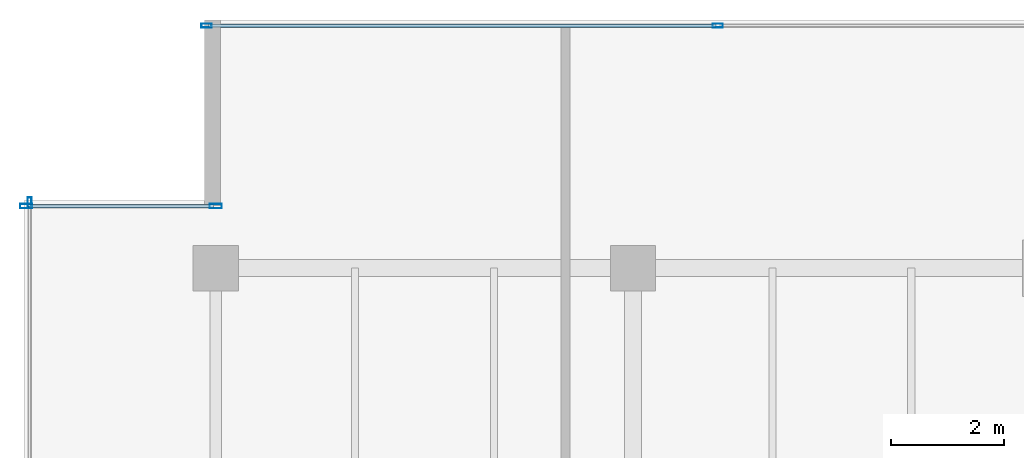
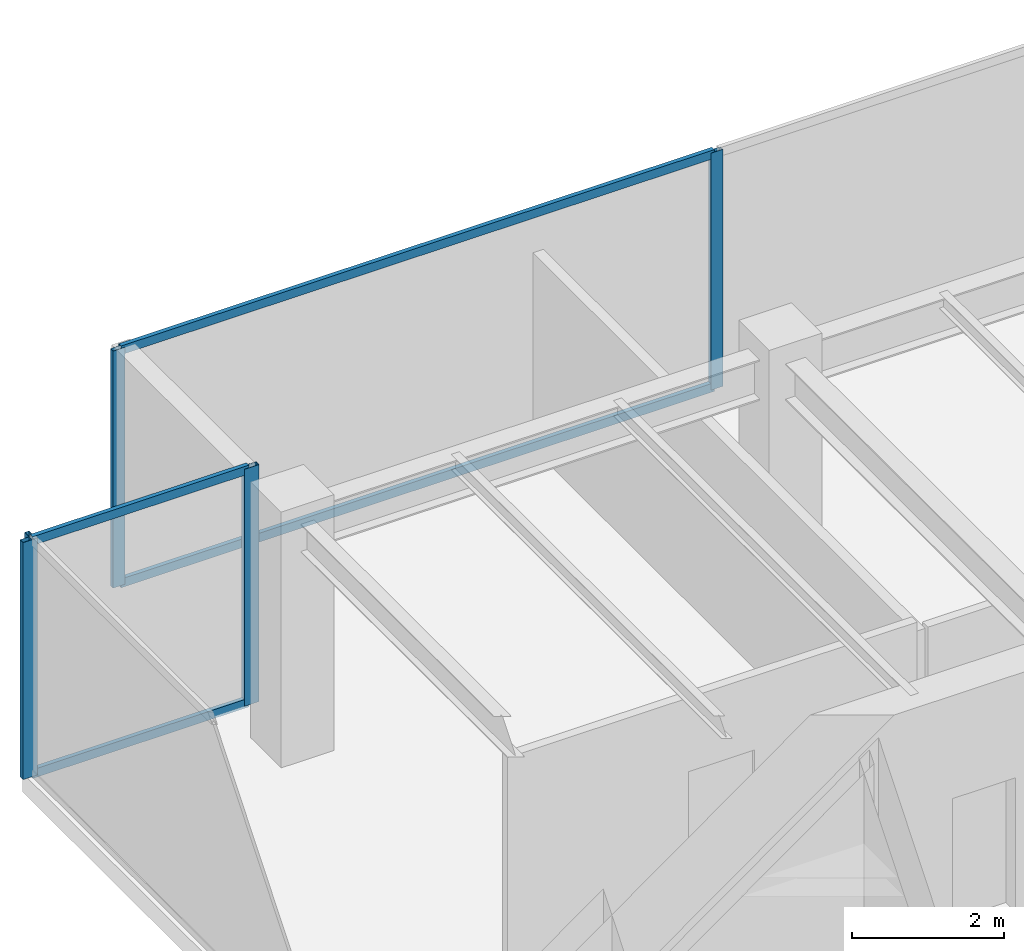
# One storey, part 15 of 33: 9 members, 3 elements without a shape of their own.
"""IFC4 building model written with IfcOpenShell, lengths in metres."""

import ifcopenshell
import ifcopenshell.guid

model = None  # the IFC model being written
_history = None  # IfcOwnerHistory: only IFC2X3 demands one
_inside = {}  # id of a spatial element -> (the spatial element, [elements in it])
_under = {}  # id of a project, library or spatial element -> (it, [spatial elements below it])
_declared = {}  # id of a project -> (the project, [libraries it declares])
_typed = {}  # id of a type object -> (the type object, [elements of that type])
_made_of = {}  # id of a material, layer set ... -> (it, [elements and type objects made of it])


def new_model(schema):
    """Start an empty IFC model of exactly this schema.

    Asked for "IFC4X3", IfcOpenShell would pick the latest addendum, in which some entities
    have other attributes; the version numbers below select the first issue.
    IFC2X3 requires an IfcOwnerHistory on every rooted entity: one is made here for all.
    """
    global model, _history
    if schema == "IFC4X3":
        model = ifcopenshell.file(schema_version=(4, 3, 0, 0))
    else:
        model = ifcopenshell.file(schema=schema)
    _inside.clear()
    _under.clear()
    _declared.clear()
    _typed.clear()
    _made_of.clear()
    _history = None
    if model.schema == "IFC2X3":
        org = make("IfcOrganization", Name="unknown")
        user = make(
            "IfcPersonAndOrganization",
            ThePerson=make("IfcPerson", FamilyName="unknown"),
            TheOrganization=org,
        )
        app = make(
            "IfcApplication",
            ApplicationDeveloper=org,
            Version="unknown",
            ApplicationFullName="unknown",
            ApplicationIdentifier="unknown",
        )
        _history = make(
            "IfcOwnerHistory",
            OwningUser=user,
            OwningApplication=app,
            ChangeAction="ADDED",
            CreationDate=0,
        )
    return model


def make(cls, **values):
    """One entity of the class cls with the attributes given. An attribute that is None is left unset."""
    return model.create_entity(
        cls, **{name: value for name, value in values.items() if value is not None}
    )


def rooted(cls, **values):
    """An entity with a GlobalId (a new one), such as an element, a storey or a relation."""
    return make(cls, GlobalId=ifcopenshell.guid.new(), OwnerHistory=_history, **values)


def si_unit(unit_type, name, prefix=None):
    """IfcSIUnit, for example si_unit("LENGTHUNIT", "METRE", prefix="MILLI")."""
    return make("IfcSIUnit", UnitType=unit_type, Prefix=prefix, Name=name)


def assignment(units):
    """IfcUnitAssignment: the units of a project."""
    return None if units is None else make("IfcUnitAssignment", Units=units)


def point(xyz):
    """IfcCartesianPoint."""
    return None if xyz is None else make("IfcCartesianPoint", Coordinates=xyz)


def direction(xyz):
    """IfcDirection."""
    return None if xyz is None else make("IfcDirection", DirectionRatios=xyz)


def frame(location, z_axis=None, x_axis=None):
    """IfcAxis2Placement3D, a coordinate frame: its origin and axes. An axis left out is left unset."""
    return make(
        "IfcAxis2Placement3D",
        Location=point(location),
        Axis=direction(z_axis),
        RefDirection=direction(x_axis),
    )


def frame_2d(location, x_axis=None):
    """IfcAxis2Placement2D, a coordinate frame in the plane: its origin and x axis."""
    return make(
        "IfcAxis2Placement2D", Location=point(location), RefDirection=direction(x_axis)
    )


def origin():
    """The frame at (0, 0, 0) with its axes left unset."""
    return frame((0.0, 0.0, 0.0))


def origin_2d():
    """The frame at (0, 0) in the plane with its x axis left unset."""
    return frame_2d((0.0, 0.0))


def place(relative_to, where):
    """IfcLocalPlacement: puts the frame where relative to a parent placement (None: the world)."""
    return make(
        "IfcLocalPlacement", PlacementRelTo=relative_to, RelativePlacement=where
    )


def context(
    kind, dimensions, precision=None, world=None, true_north=None, identifier=None
):
    """IfcGeometricRepresentationContext, for example the 3D "Model" context."""
    return make(
        "IfcGeometricRepresentationContext",
        ContextIdentifier=identifier,
        ContextType=kind,
        CoordinateSpaceDimension=dimensions,
        Precision=precision,
        WorldCoordinateSystem=world,
        TrueNorth=true_north,
    )


def subcontext(parent, identifier, kind, view, scale=None):
    """IfcGeometricRepresentationSubContext, for example "Body" below "Model"."""
    return make(
        "IfcGeometricRepresentationSubContext",
        ContextIdentifier=identifier,
        ContextType=kind,
        ParentContext=parent,
        TargetScale=scale,
        TargetView=view,
    )


def project(units=None, contexts=None):
    """IfcProject with its units and contexts."""
    return rooted(
        "IfcProject",
        Name="project",
        RepresentationContexts=contexts,
        UnitsInContext=assignment(units),
    )


def spatial(cls, under=None, at=None, **own):
    """A site, building, storey or space (cls), placed at a placement, below another one or the project."""
    s = rooted(cls, ObjectPlacement=at, **own)
    if under is not None:
        _under.setdefault(under.id(), (under, []))[1].append(s)
    return s


def profile(cls, at=None, kind="AREA", **sizes):
    """A parametric profile (cls). Its sizes go by their IFC names, for example OverallWidth=200.0."""
    return make(cls, ProfileType=kind, Position=at, **sizes)


def hollow_rectangle(**sizes):
    """IfcRectangleHollowProfileDef."""
    return profile("IfcRectangleHollowProfileDef", **sizes)


def extrude(swept, where, along, depth):
    """IfcExtrudedAreaSolid: the profile swept, set in the frame where, extruded along a direction by depth."""
    return make(
        "IfcExtrudedAreaSolid",
        SweptArea=swept,
        Position=where,
        ExtrudedDirection=direction(along),
        Depth=depth,
    )


def shape(context_of_items, identifier, shape_type, items):
    """IfcShapeRepresentation: the items that make up one representation, for example the "Body"."""
    return make(
        "IfcShapeRepresentation",
        ContextOfItems=context_of_items,
        RepresentationIdentifier=identifier,
        RepresentationType=shape_type,
        Items=items,
    )


def source(mapping_origin, context_of_items, identifier, shape_type, items):
    """IfcRepresentationMap: a shape defined once, which mapped items show again and again."""
    return make(
        "IfcRepresentationMap",
        MappingOrigin=mapping_origin,
        MappedRepresentation=shape(context_of_items, identifier, shape_type, items),
    )


def transform(
    local_origin,
    x_axis=None,
    y_axis=None,
    z_axis=None,
    scale=None,
    scale2=None,
    scale3=None,
    uniform=True,
):
    """IfcCartesianTransformationOperator3D, or its non-uniform kind. x_axis, y_axis, z_axis: its Axis1, 2, 3."""
    if uniform:
        return make(
            "IfcCartesianTransformationOperator3D",
            Axis1=direction(x_axis),
            Axis2=direction(y_axis),
            LocalOrigin=point(local_origin),
            Scale=scale,
            Axis3=direction(z_axis),
        )
    return make(
        "IfcCartesianTransformationOperator3DnonUniform",
        Axis1=direction(x_axis),
        Axis2=direction(y_axis),
        LocalOrigin=point(local_origin),
        Scale=scale,
        Axis3=direction(z_axis),
        Scale2=scale2,
        Scale3=scale3,
    )


def mapped(mapping_source, mapping_target):
    """IfcMappedItem: shows the shape of a source again, moved by a transform."""
    return make(
        "IfcMappedItem", MappingSource=mapping_source, MappingTarget=mapping_target
    )


def material(Name=None, Category=None):
    """IfcMaterial."""
    return make("IfcMaterial", Name=Name, Category=Category)


def layer(
    of_material, thickness, ventilated=None, Name=None, Category=None, Priority=None
):
    """IfcMaterialLayer: one layer of a wall or slab, of a material (None: an air gap)."""
    return make(
        "IfcMaterialLayer",
        Material=of_material,
        LayerThickness=thickness,
        IsVentilated=ventilated,
        Name=Name,
        Category=Category,
        Priority=Priority,
    )


def layer_set(layers, Name=None):
    """IfcMaterialLayerSet."""
    return make("IfcMaterialLayerSet", MaterialLayers=layers, LayerSetName=Name)


def material_profile(
    of_material, cross_section, Name=None, Category=None, Priority=None
):
    """IfcMaterialProfile: a cross section and its material."""
    return make(
        "IfcMaterialProfile",
        Name=Name,
        Material=of_material,
        Profile=cross_section,
        Priority=Priority,
        Category=Category,
    )


def profile_set(profiles, Name=None, composite=None):
    """IfcMaterialProfileSet."""
    return make(
        "IfcMaterialProfileSet",
        Name=Name,
        MaterialProfiles=profiles,
        CompositeProfile=composite,
    )


def made_of(thing, what):
    """Note that an element or type object is made of a material, layer set ...; save() writes the relation."""
    if what is not None:
        _made_of.setdefault(what.id(), (what, []))[1].append(thing)
    return thing


def type_object(cls, material=None, **own):
    """A type object (cls), such as IfcWallType, which elements share."""
    return made_of(rooted(cls, **own), material)


def type_shapes(of_type, sources):
    """Give a type object the sources (RepresentationMaps) that its elements show as mapped items."""
    of_type.RepresentationMaps = sources


def element(
    cls,
    number,
    at=None,
    inside=None,
    cuts=None,
    type_object=None,
    material=None,
    context=None,
    identifier="Body",
    shape_type=None,
    held_by="IfcProductDefinitionShape",
    body=None,
    shapes=None,
    **own,
):
    """One element of the class cls, such as IfcWall. Its Tag is "e" and its number.

    at: its placement. inside: the storey or other place that contains it. cuts: it is an
    opening in that element (IfcRelVoidsElement). A single representation is given by context,
    identifier, shape_type and body (its items); several are given by shapes. held_by: the class
    of the entity that holds the representations. save() writes the other relations.
    """
    e = rooted(cls, Tag="e%d" % number, ObjectPlacement=at, **own)
    if body is not None:
        shapes = [shape(context, identifier, shape_type, body)]
    if shapes is not None:
        e.Representation = make(held_by, Representations=shapes)
    if inside is not None:
        _inside.setdefault(inside.id(), (inside, []))[1].append(e)
    if cuts is not None:
        rooted(
            "IfcRelVoidsElement", RelatingBuildingElement=cuts, RelatedOpeningElement=e
        )
    if type_object is not None:
        _typed.setdefault(type_object.id(), (type_object, []))[1].append(e)
    return made_of(e, material)


def aggregate(whole, parts):
    """IfcRelAggregates: a whole, such as a stair, and the parts it consists of."""
    return rooted("IfcRelAggregates", RelatingObject=whole, RelatedObjects=parts)


def save(model, path):
    """Write the relations noted so far, then the file.

    IfcRelAggregates (storeys below a building ...), IfcRelContainedInSpatialStructure (elements
    in a storey), IfcRelDefinesByType, IfcRelAssociatesMaterial and IfcRelDeclares: one each for
    every whole, place, type object, material and project.
    """
    for whole, parts in _under.values():
        aggregate(whole, parts)
    for where, things in _inside.values():
        rooted(
            "IfcRelContainedInSpatialStructure",
            RelatedElements=things,
            RelatingStructure=where,
        )
    for kind, things in _typed.values():
        rooted("IfcRelDefinesByType", RelatedObjects=things, RelatingType=kind)
    for what, things in _made_of.values():
        rooted("IfcRelAssociatesMaterial", RelatedObjects=things, RelatingMaterial=what)
    for by, libraries in _declared.values():
        rooted("IfcRelDeclares", RelatingContext=by, RelatedDefinitions=libraries)
    model.write(path)


model = new_model("IFC4")

# Units and contexts
model_context = context("Model", 3, precision=1e-05, world=origin(), true_north=direction((0.0, 1.0)))
body_context = subcontext(model_context, "Body", "Model", "MODEL_VIEW")
ifc_project = project(units=[si_unit("LENGTHUNIT", "METRE"), si_unit("AREAUNIT", "SQUARE_METRE"), si_unit("VOLUMEUNIT", "CUBIC_METRE"), si_unit("PLANEANGLEUNIT", "RADIAN"), si_unit("MASSUNIT", "GRAM", prefix="KILO")], contexts=[model_context])

# Site, building, storey
site_placement = place(None, origin())
site = spatial("IfcSite", under=ifc_project, at=site_placement, CompositionType="ELEMENT")
building_placement = place(site_placement, origin())
building = spatial("IfcBuilding", under=site, at=building_placement, Name="Haelvirn Gate Laboratories", CompositionType="ELEMENT")
storey_placement = place(building_placement, frame((0.0, 0.0, 271.10009765625)))
storey = spatial("IfcBuildingStorey", under=building, at=storey_placement, Name="L65", CompositionType="ELEMENT", Elevation=271.10009765625)

# Curtain wall, members
ifc_material_1 = material(Name="Anodised bronze unitised aluminium & triple low-E glass", Category="aluminium")
ifc_layer_1 = layer(ifc_material_1, 0.181884765625, Name="CW-SYS-5")
ifc_layer_set_1 = layer_set([ifc_layer_1], Name="Anodised bronze unitised aluminium & triple low-E glass")
curtain_wall_type_1 = type_object("IfcCurtainWallType", Name="CW-SYS-5", PredefinedType="NOTDEFINED", material=ifc_layer_set_1)
curtain_wall_1_placement = place(storey_placement, origin())
curtain_wall_1 = element("IfcCurtainWall", 1, at=curtain_wall_1_placement, inside=storey, type_object=curtain_wall_type_1, Name="L65 Unitised Curtain Wall CW-L65-P0-E16-1", PredefinedType="NOTDEFINED")
ifc_material_2 = material(Name="Extruded aluminium 6063-T6 (anodised bronze)", Category="aluminium")
ifc_material_profile_1 = material_profile(ifc_material_2, hollow_rectangle(XDim=0.06494140625, YDim=0.139892578125, WallThickness=0.00390625, at=origin_2d()), Name="CWT-140x65x4")
ifc_profile_set_1 = profile_set([ifc_material_profile_1], Name="Extruded aluminium 6063-T6 (anodised bronze)")
member_type_1 = type_object("IfcMemberType", Name="CWT-T140", PredefinedType="USERDEFINED", material=ifc_profile_set_1)
shared_shape_1 = source(origin(), body_context, "Body", "SweptSolid", [
    extrude(hollow_rectangle(XDim=0.06494140625, YDim=0.139892578125, WallThickness=0.00390625, at=origin_2d()), origin(), (0.0, 0.0, 1.0), 3.280029296875),
])
member_1_placement = place(storey_placement, frame((4.080078125, 42.699951171875, 0.032470703125), z_axis=(1.0, 0.0, 0.0), x_axis=(0.0, 1.0, 0.0)))
member_1 = element("IfcMember", 2, at=member_1_placement, type_object=member_type_1, Name="CW5 transom 1.1", ObjectType="TRANSOM", PredefinedType="USERDEFINED", context=body_context, shape_type="MappedRepresentation", body=[
    mapped(shared_shape_1, transform((0.0, 0.0, 0.0), scale=1.0)),
])
member_2_placement = place(storey_placement, frame((4.080078125, 42.699951171875, 3.767333984375), z_axis=(1.0, 0.0, 0.0), x_axis=(0.0, 1.0, 0.0)))
member_2 = element("IfcMember", 3, at=member_2_placement, type_object=member_type_1, Name="CW5 transom 1.2", ObjectType="TRANSOM", PredefinedType="USERDEFINED", context=body_context, shape_type="MappedRepresentation", body=[
    mapped(shared_shape_1, transform((0.0, 0.0, 0.0), scale=1.0)),
])

ifc_layer_2 = layer(ifc_material_1, 0.176025390625, Name="CW-SYS-4")
ifc_layer_set_2 = layer_set([ifc_layer_2], Name="Anodised bronze unitised aluminium & triple low-E glass")
curtain_wall_type_2 = type_object("IfcCurtainWallType", Name="CW-SYS-4", PredefinedType="NOTDEFINED", material=ifc_layer_set_2)
curtain_wall_2_placement = place(storey_placement, origin())
curtain_wall_2 = element("IfcCurtainWall", 4, at=curtain_wall_2_placement, inside=storey, type_object=curtain_wall_type_2, Name="L65 Unitised Curtain Wall CW-L65-P0-E14-1", PredefinedType="NOTDEFINED")
shared_shape_2 = source(origin(), body_context, "Body", "SweptSolid", [
    extrude(hollow_rectangle(XDim=0.06494140625, YDim=0.139892578125, WallThickness=0.00390625, at=origin_2d()), origin(), (0.0, 0.0, 1.0), 8.994873046875),
])
type_shapes(member_type_1, [shared_shape_1, shared_shape_2])
member_3_placement = place(storey_placement, frame((7.27001953125, 45.89990234375, 0.032470703125), z_axis=(1.0, 0.0, 0.0), x_axis=(0.0, 1.0, 0.0)))
member_3 = element("IfcMember", 5, at=member_3_placement, type_object=member_type_1, Name="CW4 transom 1.1", ObjectType="TRANSOM", PredefinedType="USERDEFINED", context=body_context, shape_type="MappedRepresentation", body=[
    mapped(shared_shape_2, transform((0.0, 0.0, 0.0), scale=1.0)),
])
member_4_placement = place(storey_placement, frame((7.27001953125, 45.89990234375, 3.767333984375), z_axis=(1.0, 0.0, 0.0), x_axis=(0.0, 1.0, 0.0)))
member_4 = element("IfcMember", 6, at=member_4_placement, type_object=member_type_1, Name="CW4 transom 1.2", ObjectType="TRANSOM", PredefinedType="USERDEFINED", context=body_context, shape_type="MappedRepresentation", body=[
    mapped(shared_shape_2, transform((0.0, 0.0, 0.0), scale=1.0)),
])
ifc_material_profile_2 = material_profile(ifc_material_2, hollow_rectangle(XDim=0.070068359375, YDim=0.179931640625, WallThickness=0.0048828125, at=origin_2d()), Name="CWM-180x70x5")
ifc_profile_set_2 = profile_set([ifc_material_profile_2], Name="Extruded aluminium 6063-T6 (anodised bronze)")
member_type_2 = type_object("IfcMemberType", Name="CWM-T180", PredefinedType="MULLION", material=ifc_profile_set_2)
shared_shape_3 = source(origin(), body_context, "Body", "SweptSolid", [
    extrude(hollow_rectangle(XDim=0.070068359375, YDim=0.179931640625, WallThickness=0.0048828125, at=origin_2d()), origin(), (0.0, 0.0, 1.0), 3.7998046875),
])
type_shapes(member_type_2, [shared_shape_3])
member_5_placement = place(storey_placement, frame((7.235107421875, 45.89990234375, 0.0), z_axis=(0.0, 0.0, 1.0), x_axis=(0.0, 1.0, 0.0)))
member_5 = element("IfcMember", 7, at=member_5_placement, type_object=member_type_2, Name="CW4 mullion 1", PredefinedType="MULLION", context=body_context, shape_type="MappedRepresentation", body=[
    mapped(shared_shape_3, transform((0.0, 0.0, 0.0), scale=1.0)),
])
member_6_placement = place(storey_placement, frame((16.300048828125, 45.89990234375, 0.0), z_axis=(0.0, 0.0, 1.0), x_axis=(0.0, 1.0, 0.0)))
member_6 = element("IfcMember", 8, at=member_6_placement, type_object=member_type_2, Name="CW4 mullion 2", PredefinedType="MULLION", context=body_context, shape_type="MappedRepresentation", body=[
    mapped(shared_shape_3, transform((0.0, 0.0, 0.0), scale=1.0)),
])
aggregate(curtain_wall_2, [member_5, member_6, member_3, member_4])

# Curtain wall, member
curtain_wall_3_placement = place(storey_placement, origin())
curtain_wall_3 = element("IfcCurtainWall", 9, at=curtain_wall_3_placement, inside=storey, type_object=curtain_wall_type_2, Name="L65 Unitised Curtain Wall CW-L65-P0-E17", PredefinedType="NOTDEFINED")
member_7_placement = place(storey_placement, frame((4.10009765625, 42.764892578125, 0.0), z_axis=(0.0, 0.0, 1.0), x_axis=(1.0, 0.0, 0.0)))
member_7 = element("IfcMember", 10, at=member_7_placement, type_object=member_type_2, Name="CW4 mullion 1", PredefinedType="MULLION", context=body_context, shape_type="MappedRepresentation", body=[
    mapped(shared_shape_3, transform((0.0, 0.0, 0.0), scale=1.0)),
])
aggregate(curtain_wall_3, [member_7])

# Member
ifc_material_profile_3 = material_profile(ifc_material_2, hollow_rectangle(XDim=0.080078125, YDim=0.219970703125, WallThickness=0.006103515625, at=origin_2d()), Name="CWM-220x80x6")
ifc_profile_set_3 = profile_set([ifc_material_profile_3], Name="Extruded aluminium 6063-T6 (anodised bronze)")
member_type_3 = type_object("IfcMemberType", Name="CWM-T220", PredefinedType="MULLION", material=ifc_profile_set_3)
shared_shape_4 = source(origin(), body_context, "Body", "SweptSolid", [
    extrude(hollow_rectangle(XDim=0.080078125, YDim=0.219970703125, WallThickness=0.006103515625, at=origin_2d()), origin(), (0.0, 0.0, 1.0), 3.7998046875),
])
type_shapes(member_type_3, [shared_shape_4])
member_8_placement = place(storey_placement, frame((4.0400390625, 42.699951171875, 0.0), z_axis=(0.0, 0.0, 1.0), x_axis=(0.0, 1.0, 0.0)))
member_8 = element("IfcMember", 11, at=member_8_placement, type_object=member_type_3, Name="CW5 mullion 1", PredefinedType="MULLION", context=body_context, shape_type="MappedRepresentation", body=[
    mapped(shared_shape_4, transform((0.0, 0.0, 0.0), scale=1.0)),
])

member_9_placement = place(storey_placement, frame((7.39990234375, 42.699951171875, 0.0), z_axis=(0.0, 0.0, 1.0), x_axis=(0.0, 1.0, 0.0)))
member_9 = element("IfcMember", 12, at=member_9_placement, type_object=member_type_3, Name="CW5 mullion 2", PredefinedType="MULLION", context=body_context, shape_type="MappedRepresentation", body=[
    mapped(shared_shape_4, transform((0.0, 0.0, 0.0), scale=1.0)),
])

aggregate(curtain_wall_1, [member_8, member_9, member_1, member_2])

save(model, "model.ifc")
